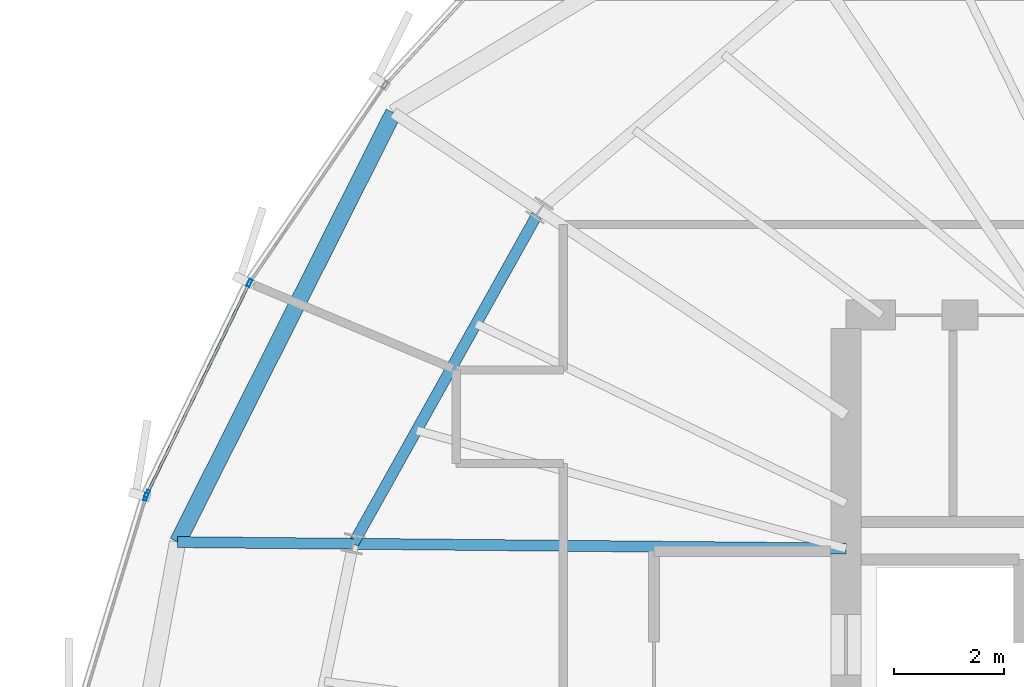
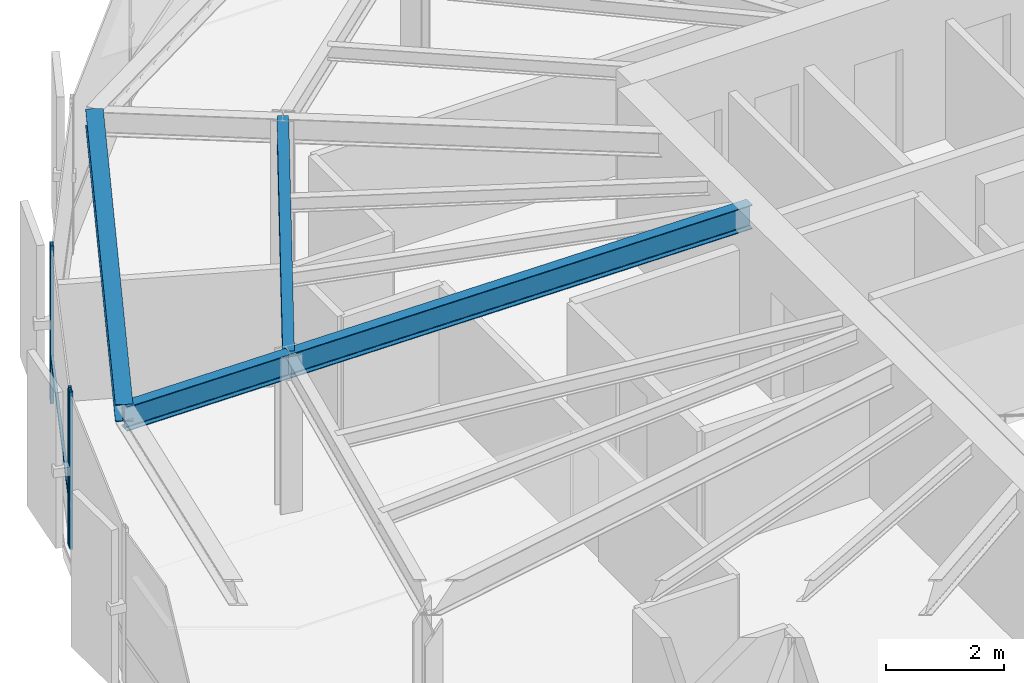
# One storey, part 10 of 34: 4 beams, 4 members, 2 elements without a shape of their own.
"""IFC4 building model written with IfcOpenShell, lengths in metres."""

import ifcopenshell
import ifcopenshell.guid

model = None  # the IFC model being written
_history = None  # IfcOwnerHistory: only IFC2X3 demands one
_inside = {}  # id of a spatial element -> (the spatial element, [elements in it])
_under = {}  # id of a project, library or spatial element -> (it, [spatial elements below it])
_declared = {}  # id of a project -> (the project, [libraries it declares])
_typed = {}  # id of a type object -> (the type object, [elements of that type])
_made_of = {}  # id of a material, layer set ... -> (it, [elements and type objects made of it])


def new_model(schema):
    """Start an empty IFC model of exactly this schema.

    Asked for "IFC4X3", IfcOpenShell would pick the latest addendum, in which some entities
    have other attributes; the version numbers below select the first issue.
    IFC2X3 requires an IfcOwnerHistory on every rooted entity: one is made here for all.
    """
    global model, _history
    if schema == "IFC4X3":
        model = ifcopenshell.file(schema_version=(4, 3, 0, 0))
    else:
        model = ifcopenshell.file(schema=schema)
    _inside.clear()
    _under.clear()
    _declared.clear()
    _typed.clear()
    _made_of.clear()
    _history = None
    if model.schema == "IFC2X3":
        org = make("IfcOrganization", Name="unknown")
        user = make(
            "IfcPersonAndOrganization",
            ThePerson=make("IfcPerson", FamilyName="unknown"),
            TheOrganization=org,
        )
        app = make(
            "IfcApplication",
            ApplicationDeveloper=org,
            Version="unknown",
            ApplicationFullName="unknown",
            ApplicationIdentifier="unknown",
        )
        _history = make(
            "IfcOwnerHistory",
            OwningUser=user,
            OwningApplication=app,
            ChangeAction="ADDED",
            CreationDate=0,
        )
    return model


def make(cls, **values):
    """One entity of the class cls with the attributes given. An attribute that is None is left unset."""
    return model.create_entity(
        cls, **{name: value for name, value in values.items() if value is not None}
    )


def rooted(cls, **values):
    """An entity with a GlobalId (a new one), such as an element, a storey or a relation."""
    return make(cls, GlobalId=ifcopenshell.guid.new(), OwnerHistory=_history, **values)


def si_unit(unit_type, name, prefix=None):
    """IfcSIUnit, for example si_unit("LENGTHUNIT", "METRE", prefix="MILLI")."""
    return make("IfcSIUnit", UnitType=unit_type, Prefix=prefix, Name=name)


def assignment(units):
    """IfcUnitAssignment: the units of a project."""
    return None if units is None else make("IfcUnitAssignment", Units=units)


def point(xyz):
    """IfcCartesianPoint."""
    return None if xyz is None else make("IfcCartesianPoint", Coordinates=xyz)


def direction(xyz):
    """IfcDirection."""
    return None if xyz is None else make("IfcDirection", DirectionRatios=xyz)


def frame(location, z_axis=None, x_axis=None):
    """IfcAxis2Placement3D, a coordinate frame: its origin and axes. An axis left out is left unset."""
    return make(
        "IfcAxis2Placement3D",
        Location=point(location),
        Axis=direction(z_axis),
        RefDirection=direction(x_axis),
    )


def frame_2d(location, x_axis=None):
    """IfcAxis2Placement2D, a coordinate frame in the plane: its origin and x axis."""
    return make(
        "IfcAxis2Placement2D", Location=point(location), RefDirection=direction(x_axis)
    )


def origin():
    """The frame at (0, 0, 0) with its axes left unset."""
    return frame((0.0, 0.0, 0.0))


def origin_2d():
    """The frame at (0, 0) in the plane with its x axis left unset."""
    return frame_2d((0.0, 0.0))


def place(relative_to, where):
    """IfcLocalPlacement: puts the frame where relative to a parent placement (None: the world)."""
    return make(
        "IfcLocalPlacement", PlacementRelTo=relative_to, RelativePlacement=where
    )


def context(
    kind, dimensions, precision=None, world=None, true_north=None, identifier=None
):
    """IfcGeometricRepresentationContext, for example the 3D "Model" context."""
    return make(
        "IfcGeometricRepresentationContext",
        ContextIdentifier=identifier,
        ContextType=kind,
        CoordinateSpaceDimension=dimensions,
        Precision=precision,
        WorldCoordinateSystem=world,
        TrueNorth=true_north,
    )


def subcontext(parent, identifier, kind, view, scale=None):
    """IfcGeometricRepresentationSubContext, for example "Body" below "Model"."""
    return make(
        "IfcGeometricRepresentationSubContext",
        ContextIdentifier=identifier,
        ContextType=kind,
        ParentContext=parent,
        TargetScale=scale,
        TargetView=view,
    )


def project(units=None, contexts=None):
    """IfcProject with its units and contexts."""
    return rooted(
        "IfcProject",
        Name="project",
        RepresentationContexts=contexts,
        UnitsInContext=assignment(units),
    )


def spatial(cls, under=None, at=None, **own):
    """A site, building, storey or space (cls), placed at a placement, below another one or the project."""
    s = rooted(cls, ObjectPlacement=at, **own)
    if under is not None:
        _under.setdefault(under.id(), (under, []))[1].append(s)
    return s


def profile(cls, at=None, kind="AREA", **sizes):
    """A parametric profile (cls). Its sizes go by their IFC names, for example OverallWidth=200.0."""
    return make(cls, ProfileType=kind, Position=at, **sizes)


def hollow_rectangle(**sizes):
    """IfcRectangleHollowProfileDef."""
    return profile("IfcRectangleHollowProfileDef", **sizes)


def i_section(**sizes):
    """IfcIShapeProfileDef."""
    return profile("IfcIShapeProfileDef", **sizes)


def extrude(swept, where, along, depth):
    """IfcExtrudedAreaSolid: the profile swept, set in the frame where, extruded along a direction by depth."""
    return make(
        "IfcExtrudedAreaSolid",
        SweptArea=swept,
        Position=where,
        ExtrudedDirection=direction(along),
        Depth=depth,
    )


def shape(context_of_items, identifier, shape_type, items):
    """IfcShapeRepresentation: the items that make up one representation, for example the "Body"."""
    return make(
        "IfcShapeRepresentation",
        ContextOfItems=context_of_items,
        RepresentationIdentifier=identifier,
        RepresentationType=shape_type,
        Items=items,
    )


def source(mapping_origin, context_of_items, identifier, shape_type, items):
    """IfcRepresentationMap: a shape defined once, which mapped items show again and again."""
    return make(
        "IfcRepresentationMap",
        MappingOrigin=mapping_origin,
        MappedRepresentation=shape(context_of_items, identifier, shape_type, items),
    )


def transform(
    local_origin,
    x_axis=None,
    y_axis=None,
    z_axis=None,
    scale=None,
    scale2=None,
    scale3=None,
    uniform=True,
):
    """IfcCartesianTransformationOperator3D, or its non-uniform kind. x_axis, y_axis, z_axis: its Axis1, 2, 3."""
    if uniform:
        return make(
            "IfcCartesianTransformationOperator3D",
            Axis1=direction(x_axis),
            Axis2=direction(y_axis),
            LocalOrigin=point(local_origin),
            Scale=scale,
            Axis3=direction(z_axis),
        )
    return make(
        "IfcCartesianTransformationOperator3DnonUniform",
        Axis1=direction(x_axis),
        Axis2=direction(y_axis),
        LocalOrigin=point(local_origin),
        Scale=scale,
        Axis3=direction(z_axis),
        Scale2=scale2,
        Scale3=scale3,
    )


def mapped(mapping_source, mapping_target):
    """IfcMappedItem: shows the shape of a source again, moved by a transform."""
    return make(
        "IfcMappedItem", MappingSource=mapping_source, MappingTarget=mapping_target
    )


def material(Name=None, Category=None):
    """IfcMaterial."""
    return make("IfcMaterial", Name=Name, Category=Category)


def layer(
    of_material, thickness, ventilated=None, Name=None, Category=None, Priority=None
):
    """IfcMaterialLayer: one layer of a wall or slab, of a material (None: an air gap)."""
    return make(
        "IfcMaterialLayer",
        Material=of_material,
        LayerThickness=thickness,
        IsVentilated=ventilated,
        Name=Name,
        Category=Category,
        Priority=Priority,
    )


def layer_set(layers, Name=None):
    """IfcMaterialLayerSet."""
    return make("IfcMaterialLayerSet", MaterialLayers=layers, LayerSetName=Name)


def material_profile(
    of_material, cross_section, Name=None, Category=None, Priority=None
):
    """IfcMaterialProfile: a cross section and its material."""
    return make(
        "IfcMaterialProfile",
        Name=Name,
        Material=of_material,
        Profile=cross_section,
        Priority=Priority,
        Category=Category,
    )


def profile_set(profiles, Name=None, composite=None):
    """IfcMaterialProfileSet."""
    return make(
        "IfcMaterialProfileSet",
        Name=Name,
        MaterialProfiles=profiles,
        CompositeProfile=composite,
    )


def made_of(thing, what):
    """Note that an element or type object is made of a material, layer set ...; save() writes the relation."""
    if what is not None:
        _made_of.setdefault(what.id(), (what, []))[1].append(thing)
    return thing


def type_object(cls, material=None, **own):
    """A type object (cls), such as IfcWallType, which elements share."""
    return made_of(rooted(cls, **own), material)


def element(
    cls,
    number,
    at=None,
    inside=None,
    cuts=None,
    type_object=None,
    material=None,
    context=None,
    identifier="Body",
    shape_type=None,
    held_by="IfcProductDefinitionShape",
    body=None,
    shapes=None,
    **own,
):
    """One element of the class cls, such as IfcWall. Its Tag is "e" and its number.

    at: its placement. inside: the storey or other place that contains it. cuts: it is an
    opening in that element (IfcRelVoidsElement). A single representation is given by context,
    identifier, shape_type and body (its items); several are given by shapes. held_by: the class
    of the entity that holds the representations. save() writes the other relations.
    """
    e = rooted(cls, Tag="e%d" % number, ObjectPlacement=at, **own)
    if body is not None:
        shapes = [shape(context, identifier, shape_type, body)]
    if shapes is not None:
        e.Representation = make(held_by, Representations=shapes)
    if inside is not None:
        _inside.setdefault(inside.id(), (inside, []))[1].append(e)
    if cuts is not None:
        rooted(
            "IfcRelVoidsElement", RelatingBuildingElement=cuts, RelatedOpeningElement=e
        )
    if type_object is not None:
        _typed.setdefault(type_object.id(), (type_object, []))[1].append(e)
    return made_of(e, material)


def aggregate(whole, parts):
    """IfcRelAggregates: a whole, such as a stair, and the parts it consists of."""
    return rooted("IfcRelAggregates", RelatingObject=whole, RelatedObjects=parts)


def save(model, path):
    """Write the relations noted so far, then the file.

    IfcRelAggregates (storeys below a building ...), IfcRelContainedInSpatialStructure (elements
    in a storey), IfcRelDefinesByType, IfcRelAssociatesMaterial and IfcRelDeclares: one each for
    every whole, place, type object, material and project.
    """
    for whole, parts in _under.values():
        aggregate(whole, parts)
    for where, things in _inside.values():
        rooted(
            "IfcRelContainedInSpatialStructure",
            RelatedElements=things,
            RelatingStructure=where,
        )
    for kind, things in _typed.values():
        rooted("IfcRelDefinesByType", RelatedObjects=things, RelatingType=kind)
    for what, things in _made_of.values():
        rooted("IfcRelAssociatesMaterial", RelatedObjects=things, RelatingMaterial=what)
    for by, libraries in _declared.values():
        rooted("IfcRelDeclares", RelatingContext=by, RelatedDefinitions=libraries)
    model.write(path)


model = new_model("IFC4")

# Units and contexts
model_context = context("Model", 3, precision=1e-05, world=origin(), true_north=direction((0.0, 1.0)))
body_context = subcontext(model_context, "Body", "Model", "MODEL_VIEW")
ifc_project = project(units=[si_unit("LENGTHUNIT", "METRE"), si_unit("AREAUNIT", "SQUARE_METRE"), si_unit("VOLUMEUNIT", "CUBIC_METRE"), si_unit("PLANEANGLEUNIT", "RADIAN"), si_unit("MASSUNIT", "GRAM", prefix="KILO"), si_unit("THERMODYNAMICTEMPERATUREUNIT", "KELVIN")], contexts=[model_context])

# Site, building, storey
site_placement = place(None, origin())
site = spatial("IfcSite", under=ifc_project, at=site_placement, CompositionType="ELEMENT")
building_placement = place(site_placement, origin())
building = spatial("IfcBuilding", under=site, at=building_placement, Name="Kethvar Cultural Tower", CompositionType="ELEMENT")
storey_placement = place(building_placement, frame((0.0, 0.0, 207.89990234375)))
storey = spatial("IfcBuildingStorey", under=building, at=storey_placement, Name="L54", CompositionType="ELEMENT", Elevation=207.89990234375)

# Beams
ifc_material_1 = material(Name="Steel S355J2", Category="steel")
ifc_material_profile_1 = material_profile(ifc_material_1, i_section(OverallWidth=0.199951171875, OverallDepth=0.5, WebThickness=0.01025390625, FlangeThickness=0.01611328125, FilletRadius=0.02099609375, at=origin_2d()), Name="Steel S355J2 — IPE500")
ifc_profile_set_1 = profile_set([ifc_material_profile_1], Name="Steel S355J2 — IPE500")
beam_type_1 = type_object("IfcBeamType", Name="BM-IPE500", PredefinedType="BEAM", material=ifc_profile_set_1)
shared_shape_1 = source(origin(), body_context, "Body", "SweptSolid", [
    extrude(i_section(OverallWidth=0.199951171875, OverallDepth=0.5, WebThickness=0.01025390625, FlangeThickness=0.01611328125, FilletRadius=0.02099609375, at=origin_2d()), origin(), (0.0, 0.0, 1.0), 3.2001953125),
])
beam_1_placement = place(storey_placement, frame((29.02490234375, 31.335693359375, 3.008056640625), z_axis=(-0.999954526979, 0.009536455014, 0.0), x_axis=(-0.009536455014, -0.999954526979, 0.0)))
element("IfcBeam", 1, at=beam_1_placement, inside=storey, type_object=beam_type_1, Name="L54 Perimeter Cantilever Beam RC-08", PredefinedType="BEAM", context=body_context, shape_type="MappedRepresentation", body=[
    mapped(shared_shape_1, transform((0.0, 0.0, 0.0), scale=1.0)),
])
shared_shape_2 = source(origin(), body_context, "Body", "SweptSolid", [
    extrude(i_section(OverallWidth=0.199951171875, OverallDepth=0.5, WebThickness=0.01025390625, FlangeThickness=0.01611328125, FilletRadius=0.02099609375, at=origin_2d()), origin(), (0.0, 0.0, 1.0), 8.9755859375),
])
beam_2_placement = place(storey_placement, frame((38.0, 31.25, 3.008056640625), z_axis=(-0.999954421893, 0.00954746755, 0.0), x_axis=(-0.00954746755, -0.999954421893, 0.0)))
element("IfcBeam", 2, at=beam_2_placement, inside=storey, type_object=beam_type_1, Name="L54 Primary Radial Beam RB-08", PredefinedType="BEAM", context=body_context, shape_type="MappedRepresentation", body=[
    mapped(shared_shape_2, transform((0.0, 0.0, 0.0), scale=1.0)),
])
shared_shape_3 = source(origin(), body_context, "Body", "SweptSolid", [
    extrude(i_section(OverallWidth=0.199951171875, OverallDepth=0.5, WebThickness=0.01025390625, FlangeThickness=0.01611328125, FilletRadius=0.02099609375, at=origin_2d()), origin(), (0.0, 0.0, 1.0), 6.957275390625),
])
beam_3_placement = place(storey_placement, frame((32.418212890625, 37.409423828125, 3.008056640625), z_axis=(-0.487730122968, -0.872994459976, 0.0), x_axis=(0.872994459976, -0.487730122968, 0.0)))
element("IfcBeam", 3, at=beam_3_placement, inside=storey, type_object=beam_type_1, Name="L54 Column Ring Tie Beam CR-07", PredefinedType="BEAM", context=body_context, shape_type="MappedRepresentation", body=[
    mapped(shared_shape_3, transform((0.0, 0.0, 0.0), scale=1.0)),
])
ifc_material_profile_2 = material_profile(ifc_material_1, i_section(OverallWidth=0.300048828125, OverallDepth=0.360107421875, WebThickness=0.012451171875, FlangeThickness=0.0224609375, FilletRadius=0.027099609375, at=origin_2d()), Name="Steel S355J2 — HEB360")
ifc_profile_set_2 = profile_set([ifc_material_profile_2], Name="Steel S355J2 — HEB360")
beam_type_2 = type_object("IfcBeamType", Name="BM-SP360", PredefinedType="SPANDREL", material=ifc_profile_set_2)
shared_shape_4 = source(origin(), body_context, "Body", "SweptSolid", [
    extrude(i_section(OverallWidth=0.300048828125, OverallDepth=0.360107421875, WebThickness=0.012451171875, FlangeThickness=0.0224609375, FilletRadius=0.027099609375, at=origin_2d()), origin(), (0.0, 0.0, 1.0), 8.754150390625),
])
beam_4_placement = place(storey_placement, frame((29.757568359375, 39.187255859375, 3.078125), z_axis=(-0.449231599727, -0.893415340033, 0.0), x_axis=(0.893415340033, -0.449231599727, 0.0)))
element("IfcBeam", 4, at=beam_4_placement, inside=storey, type_object=beam_type_2, Name="L54 Perimeter Spandrel Beam SP-07", PredefinedType="SPANDREL", context=body_context, shape_type="MappedRepresentation", body=[
    mapped(shared_shape_4, transform((0.0, 0.0, 0.0), scale=1.0)),
])

# Curtain wall, members
ifc_material_2 = material(Name="Aluminium 6063-T6", Category="aluminium")
ifc_layer = layer(ifc_material_2, 0.179931640625, Name="Aluminium 6063-T6", Category="aluminium")
ifc_layer_set = layer_set([ifc_layer], Name="Aluminium 6063-T6 (180 mm)")
curtain_wall_type = type_object("IfcCurtainWallType", Name="CW-SYS-04-Z34", PredefinedType="NOTDEFINED", material=ifc_layer_set)
curtain_wall_1_placement = place(storey_placement, origin())
curtain_wall_1 = element("IfcCurtainWall", 5, at=curtain_wall_1_placement, inside=storey, type_object=curtain_wall_type, Name="L54 Curtain Wall Run 02", PredefinedType="NOTDEFINED")
ifc_material_profile_3 = material_profile(ifc_material_2, hollow_rectangle(XDim=0.06005859375, YDim=0.139892578125, WallThickness=0.0048828125, at=origin_2d()), Name="Aluminium 6063-T6 — RHS140x60x5")
ifc_profile_set_3 = profile_set([ifc_material_profile_3], Name="Aluminium 6063-T6 — RHS140x60x5")
member_type_1 = type_object("IfcMemberType", Name="CW-SYS-04-Z34-MUL", PredefinedType="MULLION", material=ifc_profile_set_3)
shared_shape_5 = source(origin(), body_context, "Body", "SweptSolid", [
    extrude(hollow_rectangle(XDim=0.06005859375, YDim=0.139892578125, WallThickness=0.0048828125, at=origin_2d()), origin(), (0.0, 0.0, 1.0), 3.260009765625),
])
member_1_placement = place(storey_placement, frame((27.1328125, 36.085205078125, 0.0), z_axis=(0.0, 0.0, 1.0), x_axis=(0.899717814747, -0.43647205389, 0.0)))
member_1 = element("IfcMember", 6, at=member_1_placement, type_object=member_type_1, Name="CW-L54-R02 Mullion 6", PredefinedType="MULLION", context=body_context, shape_type="MappedRepresentation", body=[
    mapped(shared_shape_5, transform((0.0, 0.0, 0.0), scale=1.0)),
])
member_2_placement = place(storey_placement, frame((25.27099609375, 32.247314453125, 0.0), z_axis=(0.0, 0.0, 1.0), x_axis=(0.899717814747, -0.43647205389, 0.0)))
member_2 = element("IfcMember", 7, at=member_2_placement, type_object=member_type_1, Name="CW-L54-R02 Mullion 7", PredefinedType="MULLION", context=body_context, shape_type="MappedRepresentation", body=[
    mapped(shared_shape_5, transform((0.0, 0.0, 0.0), scale=1.0)),
])

# Curtain wall, member
curtain_wall_2_placement = place(storey_placement, origin())
curtain_wall_2 = element("IfcCurtainWall", 8, at=curtain_wall_2_placement, inside=storey, type_object=curtain_wall_type, Name="L54 Curtain Wall Run 03", PredefinedType="NOTDEFINED")
member_3_placement = place(storey_placement, frame((25.248779296875, 32.19091796875, 0.0), z_axis=(0.0, 0.0, 1.0), x_axis=(0.956584972007, -0.291453583493, 0.0)))
member_3 = element("IfcMember", 9, at=member_3_placement, type_object=member_type_1, Name="CW-L54-R03 Mullion 1", PredefinedType="MULLION", context=body_context, shape_type="MappedRepresentation", body=[
    mapped(shared_shape_5, transform((0.0, 0.0, 0.0), scale=1.0)),
])
aggregate(curtain_wall_2, [member_3])

# Member
ifc_material_profile_4 = material_profile(ifc_material_2, hollow_rectangle(XDim=0.050048828125, YDim=0.10009765625, WallThickness=0.00390625, at=origin_2d()), Name="Aluminium 6063-T6 — RHS100x50x4")
ifc_profile_set_4 = profile_set([ifc_material_profile_4], Name="Aluminium 6063-T6 — RHS100x50x4")
member_type_2 = type_object("IfcMemberType", Name="CW-SYS-04-Z34-TRN", PredefinedType="USERDEFINED", material=ifc_profile_set_4)
shared_shape_6 = source(origin(), body_context, "Body", "SweptSolid", [
    extrude(hollow_rectangle(XDim=0.050048828125, YDim=0.10009765625, WallThickness=0.00390625, at=origin_2d()), origin(), (0.0, 0.0, 1.0), 4.218017578125),
])
member_4_placement = place(storey_placement, frame((27.114013671875, 36.046142578125, 0.9501953125), z_axis=(-0.436531948051, -0.899688756366, 0.0), x_axis=(0.899688756366, -0.436531948051, 0.0)))
member_4 = element("IfcMember", 10, at=member_4_placement, type_object=member_type_2, Name="CW-L54-R02 Transom 6", ObjectType="TRANSOM", PredefinedType="USERDEFINED", context=body_context, shape_type="MappedRepresentation", body=[
    mapped(shared_shape_6, transform((0.0, 0.0, 0.0), scale=1.0)),
])

aggregate(curtain_wall_1, [member_1, member_2, member_4])

save(model, "model.ifc")
